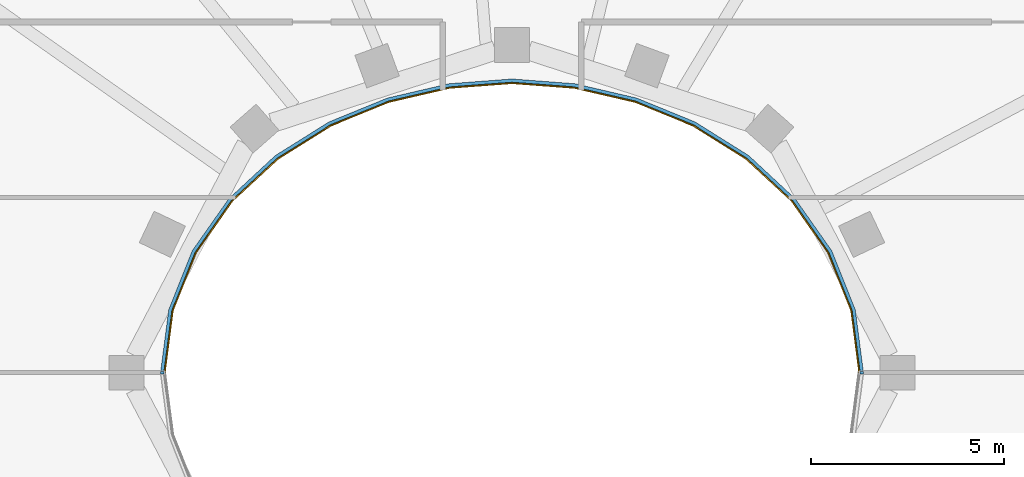
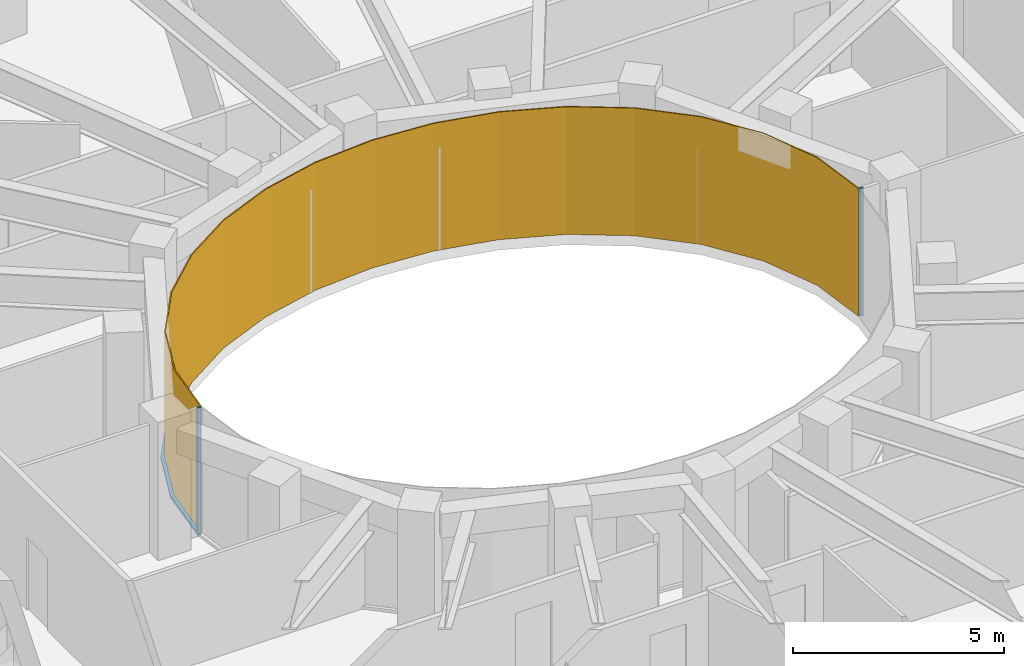
# One storey, part 12 of 16: 3 members, 1 curtain wall.
"""IFC4 building model written with IfcOpenShell, lengths in metres."""

from ifc_helpers import new_model, si_unit, direction, frame, origin, origin_2d, place, context, subcontext, project, spatial, polyline, rectangle, outline, extrude, material, layer, layer_set, material_profile, profile_set, type_object, element, aggregate, save


model = new_model("IFC4")

# Units and contexts
model_context = context("Model", 3, precision=1e-05, world=origin(), true_north=direction((0.0, 1.0)))
body_context = subcontext(model_context, "Body", "Model", "MODEL_VIEW")
ifc_project = project(units=[si_unit("LENGTHUNIT", "METRE"), si_unit("AREAUNIT", "SQUARE_METRE"), si_unit("VOLUMEUNIT", "CUBIC_METRE"), si_unit("PLANEANGLEUNIT", "RADIAN"), si_unit("MASSUNIT", "GRAM", prefix="KILO")], contexts=[model_context])

# Member
ifc_material_1 = material(Name="Steel S355 fire-resisting frame", Category="steel")
ifc_material_profile = material_profile(ifc_material_1, rectangle(XDim=0.090087890625, YDim=0.06005859375, at=origin_2d()), Name="90x60")
ifc_profile_set = profile_set([ifc_material_profile], Name="Steel S355 fire-resisting frame")
member_type_1 = type_object("IfcMemberType", Name="ENV-MULLION-W-90", PredefinedType="MULLION", material=ifc_profile_set)
site_placement = place(None, origin())
building_placement = place(site_placement, origin())
storey_placement = place(building_placement, frame((0.0, 0.0, 303.0)))
member_1_placement = place(storey_placement, frame((9.076904296875, 0.0, 0.0), z_axis=(0.0, 0.0, 1.0), x_axis=(1.0, 0.0, 0.0)))
member_1 = element("IfcMember", 1, at=member_1_placement, type_object=member_type_1, Name="Mullion W well vertex 01", PredefinedType="MULLION", context=body_context, shape_type="SweptSolid", body=[
    extrude(rectangle(XDim=0.090087890625, YDim=0.06005859375, at=origin_2d()), origin(), (0.0, 0.0, 1.0), 3.699951171875),
])

member_2_placement = place(storey_placement, frame((-9.076904296875, 0.0, 0.0), z_axis=(0.0, 0.0, 1.0), x_axis=(-1.0, 0.0, 0.0)))
member_2 = element("IfcMember", 2, at=member_2_placement, type_object=member_type_1, Name="Mullion W well vertex 17", PredefinedType="MULLION", context=body_context, shape_type="SweptSolid", body=[
    extrude(rectangle(XDim=0.090087890625, YDim=0.06005859375, at=origin_2d()), origin(), (0.0, 0.0, 1.0), 3.699951171875),
])

ifc_material_2 = material(Name="Steel S355 fire-resisting frame", Category="steel")
member_type_2 = type_object("IfcMemberType", Name="ENV-TRANSOM-W", PredefinedType="USERDEFINED", material=ifc_material_2)
member_3_placement = place(storey_placement, origin())
member_3 = element("IfcMember", 3, at=member_3_placement, type_object=member_type_2, Name="Transom W well 01-17", ObjectType="TRANSOM", PredefinedType="USERDEFINED", context=body_context, shape_type="SweptSolid", body=[
    extrude(outline(polyline([(9.119384765625, 0.02783203125), (8.910400390625, 1.63623046875), (8.29833984375, 3.167236328125), (7.35107421875, 4.5146484375), (6.1455078125, 5.6337890625), (4.75341796875, 6.50634765625), (3.233642578125, 7.127685546875), (1.635498046875, 7.498779296875), (0.0, 7.622314453125), (-1.635498046875, 7.498779296875), (-3.233642578125, 7.127685546875), (-4.75341796875, 6.50634765625), (-6.1455078125, 5.6337890625), (-7.35107421875, 4.5146484375), (-8.29833984375, 3.167236328125), (-8.910400390625, 1.63623046875), (-9.119384765625, 0.02783203125), (-9.02880859375, 0.02783203125), (-8.822509765625, 1.61328125), (-8.21875, 3.124267578125), (-7.282958984375, 4.455078125), (-6.090576171875, 5.56201171875), (-4.712158203125, 6.426025390625), (-3.206298828125, 7.04150390625), (-1.621826171875, 7.40966796875), (0.0, 7.531982421875), (1.621826171875, 7.40966796875), (3.206298828125, 7.04150390625), (4.712158203125, 6.426025390625), (6.090576171875, 5.56201171875), (7.282958984375, 4.455078125), (8.21875, 3.124267578125), (8.822509765625, 1.61328125), (9.02880859375, 0.02783203125), (9.119384765625, 0.02783203125)])), origin(), (0.0, 0.0, 1.0), 0.080078125),
])

# Site, building, storey
site = spatial("IfcSite", under=ifc_project, at=site_placement, CompositionType="ELEMENT")
building = spatial("IfcBuilding", under=site, at=building_placement, Name="Noorbagh Ring Tower", CompositionType="ELEMENT")
storey = spatial("IfcBuildingStorey", under=building, at=storey_placement, Name="L65", CompositionType="ELEMENT", Elevation=303.0)

# Curtain wall
ifc_material_3 = material(Name="Glass fire-resisting E60 laminated", Category="glass")
ifc_layer = layer(ifc_material_3, 0.031982421875)
ifc_layer_set = layer_set([ifc_layer], Name="Glass fire-resisting E60 laminated")
curtain_wall_type = type_object("IfcCurtainWallType", Name="ENV-CW-W", PredefinedType="NOTDEFINED", material=ifc_layer_set)
curtain_wall_placement = place(storey_placement, origin())
curtain_wall = element("IfcCurtainWall", 4, at=curtain_wall_placement, inside=storey, type_object=curtain_wall_type, Name="Curtain wall W W01", PredefinedType="NOTDEFINED", context=body_context, shape_type="SweptSolid", body=[
    extrude(outline(polyline([(9.0322265625, 0.0), (8.822509765625, 1.61328125), (8.21875, 3.124267578125), (7.282958984375, 4.455078125), (6.090576171875, 5.56201171875), (4.712158203125, 6.426025390625), (3.206298828125, 7.04150390625), (1.621826171875, 7.40966796875), (0.0, 7.531982421875), (-1.621826171875, 7.40966796875), (-3.206298828125, 7.04150390625), (-4.712158203125, 6.426025390625), (-6.090576171875, 5.56201171875), (-7.282958984375, 4.455078125), (-8.21875, 3.124267578125), (-8.822509765625, 1.61328125), (-9.0322265625, 0.0), (-9.0, 0.0), (-8.79150390625, 1.605224609375), (-8.1904296875, 3.10888671875), (-7.2587890625, 4.43408203125), (-6.071044921875, 5.53662109375), (-4.697509765625, 6.3974609375), (-3.196533203125, 7.010986328125), (-1.6171875, 7.3779296875), (0.0, 7.5), (1.6171875, 7.3779296875), (3.196533203125, 7.010986328125), (4.697509765625, 6.3974609375), (6.071044921875, 5.53662109375), (7.2587890625, 4.43408203125), (8.1904296875, 3.10888671875), (8.79150390625, 1.605224609375), (9.0, 0.0), (9.0322265625, 0.0)])), origin(), (0.0, 0.0, 1.0), 3.699951171875),
])

aggregate(curtain_wall, [member_1, member_2, member_3])

save(model, "model.ifc")
